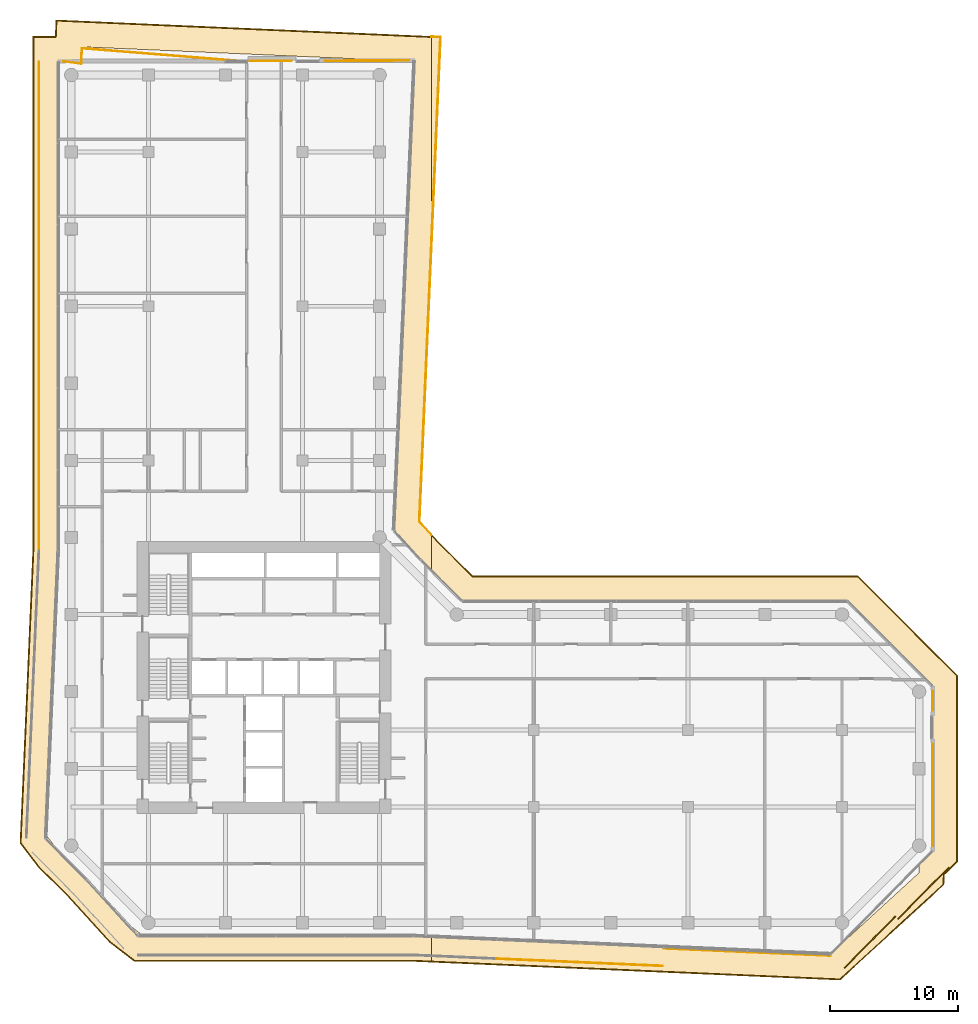
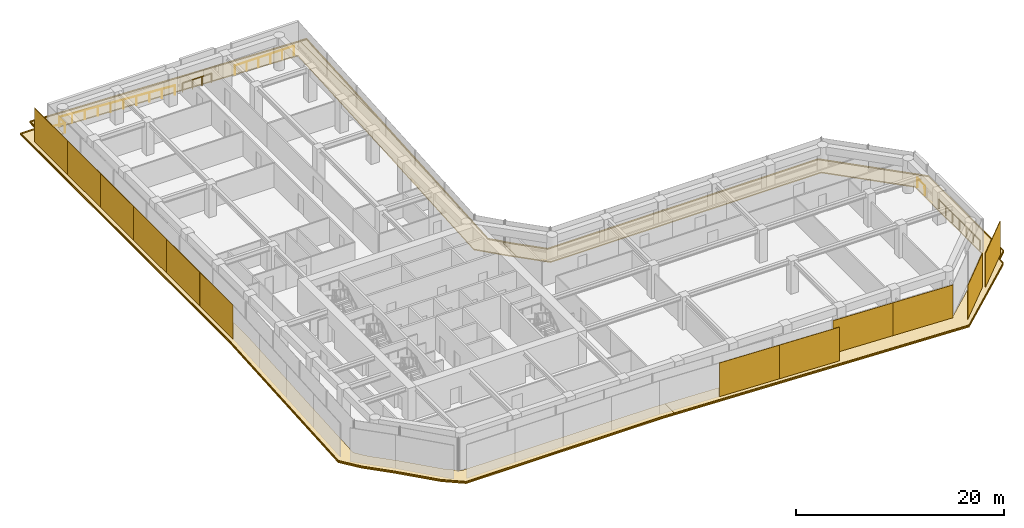
# One storey, part 29 of 29: 19 coverings, 5 railings.
"""IFC4 building model written with IfcOpenShell, lengths in metres."""

from ifc_helpers import new_model, si_unit, direction, frame, origin, origin_2d, place, context, subcontext, project, spatial, polyline, rectangle, circle, outline, extrude, material, layer, layer_set, type_object, element, save


model = new_model("IFC4")

# Units and contexts
model_context = context("Model", 3, precision=1e-05, world=origin(), true_north=direction((0.0, 1.0)))
body_context = subcontext(model_context, "Body", "Model", "MODEL_VIEW")
ifc_project = project(units=[si_unit("LENGTHUNIT", "METRE"), si_unit("AREAUNIT", "SQUARE_METRE"), si_unit("VOLUMEUNIT", "CUBIC_METRE"), si_unit("PLANEANGLEUNIT", "RADIAN"), si_unit("MASSUNIT", "GRAM", prefix="KILO")], contexts=[model_context])

# Site, building, storey
site_placement = place(None, origin())
site = spatial("IfcSite", under=ifc_project, at=site_placement, CompositionType="ELEMENT")
building_placement = place(site_placement, origin())
building = spatial("IfcBuilding", under=site, at=building_placement, Name="Welwitschia Terrace Campus", CompositionType="ELEMENT")
storey_placement = place(building_placement, frame((0.0, 0.0, 41.60009765625)))
storey = spatial("IfcBuildingStorey", under=building, at=storey_placement, Name="L09", CompositionType="ELEMENT", Elevation=41.60009765625)

# Coverings
ifc_material_1 = material(Name="Bronze mesh aluminium screen", Category="aluminium")
ifc_layer_1 = layer(ifc_material_1, 0.06005859375)
ifc_layer_set_1 = layer_set([ifc_layer_1], Name="Bronze mesh aluminium screen")
covering_type_1 = type_object("IfcCoveringType", Name="Bronze screen 60", PredefinedType="USERDEFINED", material=ifc_layer_set_1)
for number, where, z_axis, x_axis, name in (
    (1, (36.314208984375, -6.940185546875, 0.0), (0.0, 0.0, 1.0), (0.999048221582, -0.043619387365, 0.0), "Screen L09.4.1"),
    (2, (42.81396484375, -7.22412109375, 0.0), (0.0, 0.0, 1.0), (0.999048221582, -0.043619387365, 0.0), "Screen L09.4.2"),
):
    element("IfcCovering", number, at=place(storey_placement, frame(where, z_axis=z_axis, x_axis=x_axis)), inside=storey, type_object=covering_type_1, Name=name, ObjectType="SCREEN", PredefinedType="USERDEFINED", context=body_context, shape_type="SweptSolid", body=[
        extrude(rectangle(XDim=6.48583984375, YDim=0.06005859375, at=origin_2d()), origin(), (0.0, 0.0, 1.0), 3.949951171875),
    ])
for number, where, z_axis, x_axis, name in (
    (3, (49.373291015625, -6.14111328125, -0.000244140625), (0.0, 0.0, 1.0), (0.999048221582, -0.043619387365, 0.0), "Screen L09.4.3"),
    (4, (55.873046875, -6.4248046875, -0.000244140625), (0.0, 0.0, 1.0), (0.999048221582, -0.043619387365, 0.0), "Screen L09.4.4"),
):
    element("IfcCovering", number, at=place(storey_placement, frame(where, z_axis=z_axis, x_axis=x_axis)), inside=storey, type_object=covering_type_1, Name=name, ObjectType="SCREEN", PredefinedType="USERDEFINED", context=body_context, shape_type="SweptSolid", body=[
        extrude(rectangle(XDim=6.48583984375, YDim=0.06005859375, at=origin_2d()), origin(), (0.0, 0.0, 1.0), 3.85009765625),
    ])
for number, where, z_axis, x_axis, name in (
    (5, (62.166015625, -5.509521484375, 0.0), (0.0, 0.0, 1.0), (0.702334741761, 0.711846830797, 0.0), "Screen L09.5.0"),
    (6, (66.333984375, -1.68994140625, 0.0), (0.0, 0.0, 1.0), (0.702334741761, 0.711846830797, 0.0), "Screen L09.5.1"),
):
    element("IfcCovering", number, at=place(storey_placement, frame(where, z_axis=z_axis, x_axis=x_axis)), inside=storey, type_object=covering_type_1, Name=name, ObjectType="SCREEN", PredefinedType="USERDEFINED", context=body_context, shape_type="SweptSolid", body=[
        extrude(rectangle(XDim=5.62646484375, YDim=0.06005859375, at=origin_2d()), origin(), (0.0, 0.0, 1.0), 3.949951171875),
    ])
for number, where, z_axis, x_axis, name in (
    (7, (-2.51611328125, 59.875, 0.0), (0.0, 0.0, 1.0), (0.0, -1.0, 0.0), "Screen L09.13.0"),
    (8, (-2.51611328125, 53.5166015625, 0.0), (0.0, 0.0, 1.0), (0.0, -1.0, 0.0), "Screen L09.13.1"),
    (9, (-2.51611328125, 47.157958984375, 0.0), (0.0, 0.0, 1.0), (0.0, -1.0, 0.0), "Screen L09.13.2"),
    (10, (-2.51611328125, 40.79931640625, 0.0), (0.0, 0.0, 1.0), (0.0, -1.0, 0.0), "Screen L09.13.3"),
    (11, (-2.51611328125, 34.44091796875, 0.0), (0.0, 0.0, 1.0), (0.0, -1.0, 0.0), "Screen L09.13.4"),
    (12, (-2.51611328125, 28.08251953125, 0.0), (0.0, 0.0, 1.0), (0.0, -1.0, 0.0), "Screen L09.13.5"),
):
    element("IfcCovering", number, at=place(storey_placement, frame(where, z_axis=z_axis, x_axis=x_axis)), inside=storey, type_object=covering_type_1, Name=name, ObjectType="SCREEN", PredefinedType="USERDEFINED", context=body_context, shape_type="SweptSolid", body=[
        extrude(rectangle(XDim=6.33837890625, YDim=0.06005859375, at=origin_2d()), origin(), (0.0, 0.0, 1.0), 3.949951171875),
    ])

# Railings
ifc_material_2 = material(Name="Stainless steel grade 316", Category="steel")
railing_type = type_object("IfcRailingType", Name="Guard 1100", PredefinedType="GUARDRAIL", material=ifc_material_2)
railing_1_placement = place(storey_placement, frame((-0.6083984375, 63.05517578125, 0.0)))
element("IfcRailing", 13, at=railing_1_placement, inside=storey, type_object=railing_type, Name="Guard floor edge L09.0", PredefinedType="GUARDRAIL", context=body_context, shape_type="SweptSolid", body=[
    extrude(circle(Radius=0.02392578125, at=origin_2d()), frame((0.0, 0.0, 1.076171875), z_axis=(0.9921049437, -0.125410448869, 0.0), x_axis=(0.125410448869, 0.9921049437, 0.0)), (0.0, 0.0, 1.0), 1.397705078125),
    extrude(circle(Radius=0.02392578125, at=origin_2d()), frame((1.38671875, -0.17529296875, 1.076171875), z_axis=(0.043614944152, 0.999048415567, 0.0), x_axis=(-0.999048415567, 0.043614944152, 0.0)), (0.0, 0.0, 1.0), 1.1923828125),
    extrude(circle(Radius=0.02392578125, at=origin_2d()), frame((1.438720703125, 1.015869140625, 1.076171875), z_axis=(0.996784182973, -0.080132968085, 0.0), x_axis=(0.080132968085, 0.996784182973, 0.0)), (0.0, 0.0, 1.0), 12.287353515625),
    extrude(circle(Radius=0.02099609375, at=origin_2d()), origin(), (0.0, 0.0, 1.0), 1.052001953125),
    extrude(circle(Radius=0.02099609375, at=origin_2d()), frame((1.38671875, -0.17529296875, 0.0)), (0.0, 0.0, 1.0), 1.052001953125),
    extrude(circle(Radius=0.02099609375, at=origin_2d()), frame((1.438720703125, 1.015869140625, 0.0)), (0.0, 0.0, 1.0), 1.052001953125),
    extrude(circle(Radius=0.02099609375, at=origin_2d()), frame((2.799560546875, 0.906494140625, 0.0)), (0.0, 0.0, 1.0), 1.052001953125),
    extrude(circle(Radius=0.02099609375, at=origin_2d()), frame((4.160400390625, 0.797119140625, 0.0)), (0.0, 0.0, 1.0), 1.052001953125),
    extrude(circle(Radius=0.02099609375, at=origin_2d()), frame((5.521240234375, 0.687744140625, 0.0)), (0.0, 0.0, 1.0), 1.052001953125),
    extrude(circle(Radius=0.02099609375, at=origin_2d()), frame((6.882080078125, 0.578369140625, 0.0)), (0.0, 0.0, 1.0), 1.052001953125),
    extrude(circle(Radius=0.02099609375, at=origin_2d()), frame((8.2431640625, 0.46875, 0.0)), (0.0, 0.0, 1.0), 1.052001953125),
    extrude(circle(Radius=0.02099609375, at=origin_2d()), frame((9.60400390625, 0.359375, 0.0)), (0.0, 0.0, 1.0), 1.052001953125),
    extrude(circle(Radius=0.02099609375, at=origin_2d()), frame((10.96484375, 0.25, 0.0)), (0.0, 0.0, 1.0), 1.052001953125),
    extrude(circle(Radius=0.02099609375, at=origin_2d()), frame((12.32568359375, 0.140625, 0.0)), (0.0, 0.0, 1.0), 1.052001953125),
    extrude(circle(Radius=0.02099609375, at=origin_2d()), frame((13.6865234375, 0.03125, 0.0)), (0.0, 0.0, 1.0), 1.052001953125),
])
railing_2_placement = place(storey_placement, frame((13.92919921875, 63.08837890625, 0.0)))
element("IfcRailing", 14, at=railing_2_placement, inside=storey, type_object=railing_type, Name="Guard floor edge L09.1", PredefinedType="GUARDRAIL", context=body_context, shape_type="SweptSolid", body=[
    extrude(circle(Radius=0.02392578125, at=origin_2d()), frame((0.0, 0.0, 1.076171875), z_axis=(0.999997405192, 0.002278071392, 0.0), x_axis=(-0.002278071392, 0.999997405192, 0.0)), (0.0, 0.0, 1.0), 3.215087890625),
    extrude(circle(Radius=0.02099609375, at=origin_2d()), origin(), (0.0, 0.0, 1.0), 1.052001953125),
    extrude(circle(Radius=0.02099609375, at=origin_2d()), frame((1.07177734375, 0.00244140625, 0.0)), (0.0, 0.0, 1.0), 1.052001953125),
    extrude(circle(Radius=0.02099609375, at=origin_2d()), frame((2.143310546875, 0.0048828125, 0.0)), (0.0, 0.0, 1.0), 1.052001953125),
    extrude(circle(Radius=0.02099609375, at=origin_2d()), frame((3.215087890625, 0.00732421875, 0.0)), (0.0, 0.0, 1.0), 1.052001953125),
])
railing_3_placement = place(storey_placement, frame((19.734375, 63.1015625, 0.0)))
element("IfcRailing", 15, at=railing_3_placement, inside=storey, type_object=railing_type, Name="Guard floor edge L09.2", PredefinedType="GUARDRAIL", context=body_context, shape_type="SweptSolid", body=[
    extrude(circle(Radius=0.02392578125, at=origin_2d()), frame((0.0, 0.0, 1.076171875), z_axis=(0.999997422554, 0.002270437443, 0.0), x_axis=(-0.002270437443, 0.999997422554, 0.0)), (0.0, 0.0, 1.0), 6.559326171875),
    extrude(circle(Radius=0.02099609375, at=origin_2d()), origin(), (0.0, 0.0, 1.0), 1.052001953125),
    extrude(circle(Radius=0.02099609375, at=origin_2d()), frame((1.311767578125, 0.0029296875, 0.0)), (0.0, 0.0, 1.0), 1.052001953125),
    extrude(circle(Radius=0.02099609375, at=origin_2d()), frame((2.623779296875, 0.005859375, 0.0)), (0.0, 0.0, 1.0), 1.052001953125),
    extrude(circle(Radius=0.02099609375, at=origin_2d()), frame((3.935546875, 0.009033203125, 0.0)), (0.0, 0.0, 1.0), 1.052001953125),
    extrude(circle(Radius=0.02099609375, at=origin_2d()), frame((5.24755859375, 0.011962890625, 0.0)), (0.0, 0.0, 1.0), 1.052001953125),
    extrude(circle(Radius=0.02099609375, at=origin_2d()), frame((6.559326171875, 0.014892578125, 0.0)), (0.0, 0.0, 1.0), 1.052001953125),
])
railing_4_placement = place(storey_placement, frame((67.05810546875, 9.906005859375, 0.0)))
element("IfcRailing", 16, at=railing_4_placement, inside=storey, type_object=railing_type, Name="Guard floor edge L09.3", PredefinedType="GUARDRAIL", context=body_context, shape_type="SweptSolid", body=[
    extrude(circle(Radius=0.02392578125, at=origin_2d()), frame((0.0, 0.0, 1.076171875), z_axis=(0.0, -1.0, 0.0), x_axis=(1.0, 0.0, 0.0)), (0.0, 0.0, 1.0), 7.93115234375),
    extrude(circle(Radius=0.02099609375, at=origin_2d()), origin(), (0.0, 0.0, 1.0), 1.052001953125),
    extrude(circle(Radius=0.02099609375, at=origin_2d()), frame((0.0, -1.32177734375, 0.0)), (0.0, 0.0, 1.0), 1.052001953125),
    extrude(circle(Radius=0.02099609375, at=origin_2d()), frame((0.0, -2.643798828125, 0.0)), (0.0, 0.0, 1.0), 1.052001953125),
    extrude(circle(Radius=0.02099609375, at=origin_2d()), frame((0.0, -3.965576171875, 0.0)), (0.0, 0.0, 1.0), 1.052001953125),
    extrude(circle(Radius=0.02099609375, at=origin_2d()), frame((0.0, -5.287353515625, 0.0)), (0.0, 0.0, 1.0), 1.052001953125),
    extrude(circle(Radius=0.02099609375, at=origin_2d()), frame((0.0, -6.609375, 0.0)), (0.0, 0.0, 1.0), 1.052001953125),
    extrude(circle(Radius=0.02099609375, at=origin_2d()), frame((0.0, -7.93115234375, 0.0)), (0.0, 0.0, 1.0), 1.052001953125),
])
railing_5_placement = place(storey_placement, frame((67.05810546875, 14.025146484375, 0.0)))
element("IfcRailing", 17, at=railing_5_placement, inside=storey, type_object=railing_type, Name="Guard floor edge L09.4", PredefinedType="GUARDRAIL", context=body_context, shape_type="SweptSolid", body=[
    extrude(circle(Radius=0.02392578125, at=origin_2d()), frame((0.0, 0.0, 1.076171875), z_axis=(0.0, -1.0, 0.0), x_axis=(1.0, 0.0, 0.0)), (0.0, 0.0, 1.0), 1.4931640625),
    extrude(circle(Radius=0.02099609375, at=origin_2d()), origin(), (0.0, 0.0, 1.0), 1.052001953125),
    extrude(circle(Radius=0.02099609375, at=origin_2d()), frame((0.0, -1.4931640625, 0.0)), (0.0, 0.0, 1.0), 1.052001953125),
])

# Coverings
ifc_material_3 = material(Name="Bronze anodised aluminium", Category="aluminium")
ifc_layer_2 = layer(ifc_material_3, 0.1201171875)
ifc_layer_set_2 = layer_set([ifc_layer_2], Name="Bronze anodised aluminium")
covering_type_2 = type_object("IfcCoveringType", Name="Sunshade band 2000", PredefinedType="USERDEFINED", material=ifc_layer_set_2)
covering_1_placement = place(storey_placement, frame((0.0, 0.0, -0.25)))
element("IfcCovering", 18, at=covering_1_placement, inside=storey, type_object=covering_type_2, Name="SUNSHADE L09.SW0", ObjectType="SUNSHADE", PredefinedType="USERDEFINED", context=body_context, shape_type="SweptSolid", body=[
    extrude(outline(polyline([(-1.251220703125, 65.0), (-1.1953125, 66.281494140625), (28.036865234375, 65.005126953125), (28.036865234375, 48.037109375), (27.12939453125, 27.25146484375), (28.036865234375, 26.26123046875), (28.036865234375, 23.37744140625), (27.197265625, 24.216796875), (25.094970703125, 26.510986328125), (26.69091796875, 63.06201171875), (0.715576171875, 64.1962890625), (0.663330078125, 63.0), (-1.0, 63.0), (-1.0, 24.90185546875), (-1.963134765625, 2.84033203125), (-1.0, 1.585693359375), (1.228515625, -0.642578125), (4.3291015625, -4.0263671875), (5.585693359375, -5.0), (26.62939453125, -5.0), (28.036865234375, -5.061279296875), (28.036865234375, -7.063232421875), (26.5859375, -7.0), (4.901611328125, -7.0), (2.969482421875, -5.503173828125), (-0.216552734375, -2.026123046875), (-2.506591796875, 0.26416015625), (-3.9931640625, 2.2001953125), (-3.0, 24.945556640625), (-3.0, 65.0), (-1.251220703125, 65.0)])), origin(), (0.0, 0.0, 1.0), 0.119873046875),
])
covering_2_placement = place(storey_placement, frame((0.0, 0.0, -0.25)))
element("IfcCovering", 19, at=covering_2_placement, inside=storey, type_object=covering_type_2, Name="SUNSHADE L09.SE0", ObjectType="SUNSHADE", PredefinedType="USERDEFINED", context=body_context, shape_type="SweptSolid", body=[
    extrude(outline(polyline([(28.776123046875, 64.972900390625), (28.036865234375, 48.037109375), (28.036865234375, 65.005126953125), (28.776123046875, 64.972900390625)])), origin(), (0.0, 0.0, 1.0), 0.119873046875),
])
covering_3_placement = place(storey_placement, frame((0.0, 0.0, -0.25)))
element("IfcCovering", 20, at=covering_3_placement, inside=storey, type_object=covering_type_2, Name="SUNSHADE L09.SE1", ObjectType="SUNSHADE", PredefinedType="USERDEFINED", context=body_context, shape_type="SweptSolid", body=[
    extrude(outline(polyline([(28.642333984375, 25.600341796875), (31.24267578125, 23.0), (61.24267578125, 23.0), (69.0, 15.24267578125), (69.0, 0.75732421875), (67.96728515625, -0.275146484375), (67.93408203125, -1.04052734375), (59.845703125, -8.4521484375), (28.036865234375, -7.063232421875), (28.036865234375, -5.061279296875), (59.105224609375, -6.41796875), (65.97216796875, -0.125732421875), (66.00341796875, 0.589111328125), (67.0, 1.585693359375), (67.0, 14.414306640625), (60.414306640625, 21.0), (30.414306640625, 21.0), (28.036865234375, 23.37744140625), (28.036865234375, 26.26123046875), (28.642333984375, 25.600341796875)])), origin(), (0.0, 0.0, 1.0), 0.119873046875),
])
ifc_material_4 = material(Name="Bronze anodised aluminium", Category="aluminium")
ifc_layer_3 = layer(ifc_material_4, 0.06005859375)
ifc_layer_set_3 = layer_set([ifc_layer_3], Name="Bronze anodised aluminium")
covering_type_3 = type_object("IfcCoveringType", Name="Sunshade lip 60", PredefinedType="USERDEFINED", material=ifc_layer_set_3)
covering_4_placement = place(storey_placement, frame((0.0, 0.0, -0.130126953125)))
element("IfcCovering", 21, at=covering_4_placement, inside=storey, type_object=covering_type_3, Name="SUNSHADE LIP L09.SW0.0", ObjectType="SUNSHADE", PredefinedType="USERDEFINED", context=body_context, shape_type="SweptSolid", body=[
    extrude(outline(polyline([(-1.1953125, 66.281494140625), (28.036865234375, 65.005126953125), (28.036865234375, 64.9453125), (-1.137939453125, 66.218994140625), (-1.193603515625, 64.93994140625), (-2.93994140625, 64.93994140625), (-2.93994140625, 24.9443359375), (-3.93212890625, 2.219482421875), (-2.46142578125, 0.3037109375), (-0.173095703125, -1.984619140625), (3.01025390625, -5.458740234375), (4.922119140625, -6.93994140625), (26.587158203125, -6.93994140625), (28.036865234375, -7.00341796875), (28.036865234375, -7.063232421875), (26.5859375, -7.0), (4.901611328125, -7.0), (2.969482421875, -5.503173828125), (-0.216552734375, -2.026123046875), (-2.506591796875, 0.26416015625), (-3.9931640625, 2.2001953125), (-3.0, 24.945556640625), (-3.0, 65.0), (-1.251220703125, 65.0), (-1.1953125, 66.281494140625)])), origin(), (0.0, 0.0, 1.0), 0.130126953125),
])
covering_5_placement = place(storey_placement, frame((0.0, 0.0, -0.130126953125)))
element("IfcCovering", 22, at=covering_5_placement, inside=storey, type_object=covering_type_3, Name="SUNSHADE LIP L09.SW0.1", ObjectType="SUNSHADE", PredefinedType="USERDEFINED", context=body_context, shape_type="SweptSolid", body=[
    extrude(outline(polyline([(28.036865234375, 48.037109375), (27.12939453125, 27.25146484375), (28.036865234375, 26.26123046875), (28.036865234375, 26.17236328125), (27.068115234375, 27.229248046875), (28.036865234375, 49.41259765625), (28.036865234375, 48.037109375)])), origin(), (0.0, 0.0, 1.0), 0.130126953125),
])
covering_6_placement = place(storey_placement, frame((0.0, 0.0, -0.130126953125)))
element("IfcCovering", 23, at=covering_6_placement, inside=storey, type_object=covering_type_3, Name="SUNSHADE LIP L09.SE0.0", ObjectType="SUNSHADE", PredefinedType="USERDEFINED", context=body_context, shape_type="SweptSolid", body=[
    extrude(outline(polyline([(28.036865234375, 48.037109375), (28.036865234375, 49.41259765625), (28.713623046875, 64.91552734375), (28.036865234375, 64.9453125), (28.036865234375, 65.005126953125), (28.776123046875, 64.972900390625), (28.036865234375, 48.037109375)])), origin(), (0.0, 0.0, 1.0), 0.130126953125),
])
covering_7_placement = place(storey_placement, frame((0.0, 0.0, -0.130126953125)))
element("IfcCovering", 24, at=covering_7_placement, inside=storey, type_object=covering_type_3, Name="SUNSHADE LIP L09.SE1.0", ObjectType="SUNSHADE", PredefinedType="USERDEFINED", context=body_context, shape_type="SweptSolid", body=[
    extrude(outline(polyline([(31.24267578125, 23.0), (61.24267578125, 23.0), (69.0, 15.24267578125), (69.0, 0.75732421875), (67.96728515625, -0.275146484375), (67.93408203125, -1.04052734375), (59.845703125, -8.4521484375), (28.036865234375, -7.063232421875), (28.036865234375, -7.00341796875), (59.823486328125, -8.39111328125), (67.875244140625, -1.01318359375), (67.908447265625, -0.249267578125), (68.93994140625, 0.7822265625), (68.93994140625, 15.2177734375), (61.2177734375, 22.93994140625), (31.2177734375, 22.93994140625), (28.59912109375, 25.558837890625), (28.036865234375, 26.17236328125), (28.036865234375, 26.26123046875), (28.642333984375, 25.600341796875), (31.24267578125, 23.0)])), origin(), (0.0, 0.0, 1.0), 0.130126953125),
])

save(model, "model.ifc")
